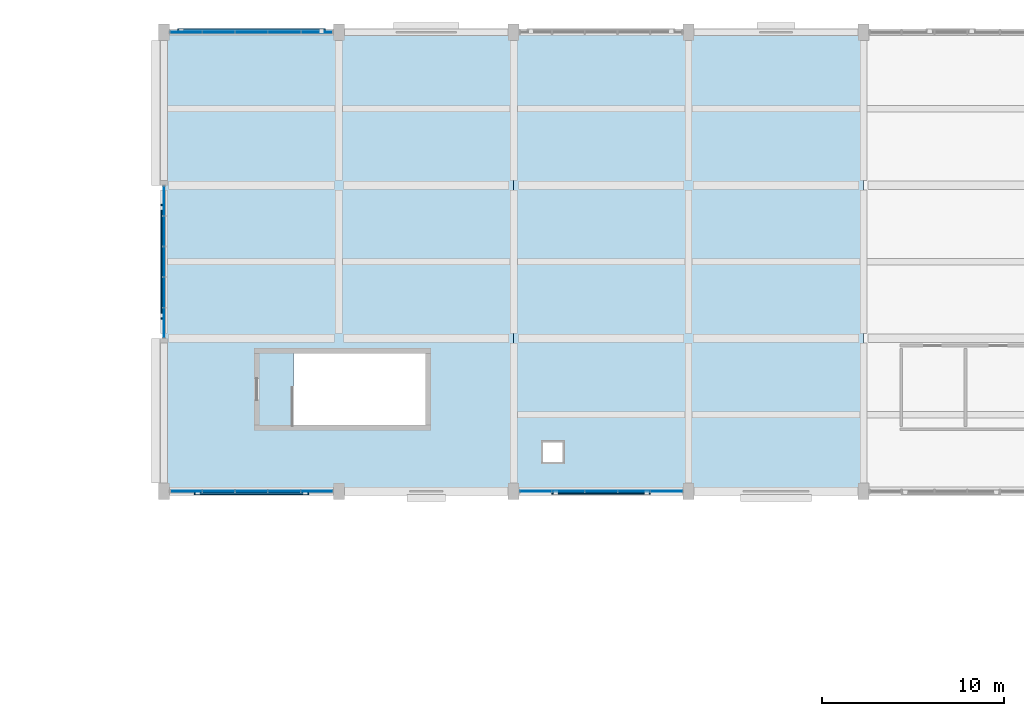
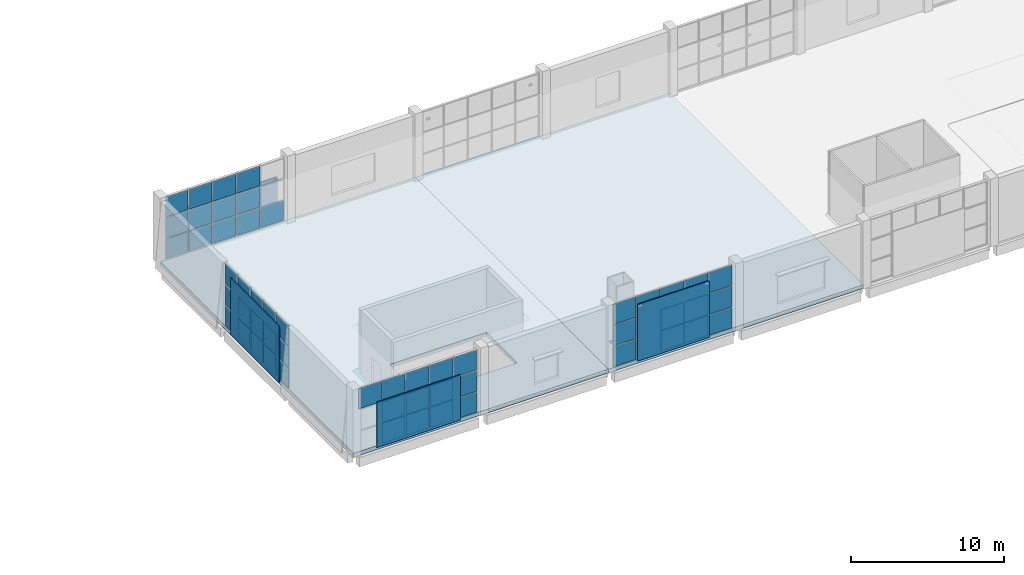
# One storey, part 32 of 57: 60 plates, 2 slabs, 4 elements without a shape of their own.
"""IFC4 building model written with IfcOpenShell, lengths in metres."""

from ifc_helpers import new_model, si_unit, direction, frame, origin, origin_2d, place, context, subcontext, project, spatial, polyline, rectangle, outline, extrude, material, layer, layer_set, type_object, element, aggregate, save


model = new_model("IFC4")

# Units and contexts
model_context = context("Model", 3, precision=1e-05, world=origin(), true_north=direction((0.0, 1.0)))
body_context = subcontext(model_context, "Body", "Model", "MODEL_VIEW")
ifc_project = project(units=[si_unit("LENGTHUNIT", "METRE"), si_unit("AREAUNIT", "SQUARE_METRE"), si_unit("VOLUMEUNIT", "CUBIC_METRE"), si_unit("PLANEANGLEUNIT", "RADIAN"), si_unit("MASSUNIT", "GRAM", prefix="KILO")], contexts=[model_context])

# Site, building, storey
site_placement = place(None, origin())
site = spatial("IfcSite", under=ifc_project, at=site_placement, CompositionType="ELEMENT")
building_placement = place(site_placement, origin())
building = spatial("IfcBuilding", under=site, at=building_placement, Name="Shalvenor Court Art Gallery", CompositionType="ELEMENT")
storey_placement = place(building_placement, frame((0.0, 0.0, 16.800048828125)))
storey = spatial("IfcBuildingStorey", under=building, at=storey_placement, Name="L03", CompositionType="ELEMENT", Elevation=16.800048828125)

# Curtain wall, plates
ifc_material_1 = material(Name="Anodised aluminium and low-iron glass curtain wall", Category="aluminium")
curtain_wall_type_1 = type_object("IfcCurtainWallType", Name="CW-5x3-90-51-142", PredefinedType="USERDEFINED", material=ifc_material_1)
curtain_wall_1_placement = place(storey_placement, origin())
curtain_wall_1 = element("IfcCurtainWall", 1, at=curtain_wall_1_placement, inside=storey, type_object=curtain_wall_type_1, Name="L03 V2 Curtain Wall CW-L03-080", ObjectType="CURTAIN WALL", PredefinedType="USERDEFINED")
ifc_material_2 = material(Name="Low-iron triple-silver solar gallery glazing IGU", Category="glass")
ifc_layer_1 = layer(ifc_material_2, 0.031982421875, Name="Low-iron triple-silver solar gallery glazing IGU")
ifc_layer_set_1 = layer_set([ifc_layer_1], Name="Low-iron triple-silver solar gallery glazing IGU")
plate_type_1 = type_object("IfcPlateType", Name="CWP-02", PredefinedType="CURTAIN_PANEL", material=ifc_layer_set_1)
plate_1_placement = place(storey_placement, frame((58.816162109375, 122.39990234375, 0.06982421875), z_axis=(0.0, 0.0, 1.0), x_axis=(1.0, 0.0, 0.0)))
plate_1 = element("IfcPlate", 2, at=plate_1_placement, type_object=plate_type_1, Name="CW-5x3-90-51-142 panel 1.1", PredefinedType="CURTAIN_PANEL", context=body_context, shape_type="SweptSolid", body=[
    extrude(rectangle(XDim=1.702392578125, YDim=0.031982421875, at=origin_2d()), origin(), (0.0, 0.0, 1.0), 1.594970703125),
])
plate_2_placement = place(storey_placement, frame((58.816162109375, 122.39990234375, 1.735107421875), z_axis=(0.0, 0.0, 1.0), x_axis=(1.0, 0.0, 0.0)))
plate_2 = element("IfcPlate", 3, at=plate_2_placement, type_object=plate_type_1, Name="CW-5x3-90-51-142 panel 1.2", PredefinedType="CURTAIN_PANEL", context=body_context, shape_type="SweptSolid", body=[
    extrude(rectangle(XDim=1.702392578125, YDim=0.031982421875, at=origin_2d()), origin(), (0.0, 0.0, 1.0), 1.6298828125),
])
plate_3_placement = place(storey_placement, frame((58.816162109375, 122.39990234375, 3.43505859375), z_axis=(0.0, 0.0, 1.0), x_axis=(1.0, 0.0, 0.0)))
plate_3 = element("IfcPlate", 4, at=plate_3_placement, type_object=plate_type_1, Name="CW-5x3-90-51-142 panel 1.3", PredefinedType="CURTAIN_PANEL", context=body_context, shape_type="SweptSolid", body=[
    extrude(rectangle(XDim=1.702392578125, YDim=0.031982421875, at=origin_2d()), origin(), (0.0, 0.0, 1.0), 1.594970703125),
])
plate_4_placement = place(storey_placement, frame((60.60009765625, 122.39990234375, 0.06982421875), z_axis=(0.0, 0.0, 1.0), x_axis=(1.0, 0.0, 0.0)))
plate_4 = element("IfcPlate", 5, at=plate_4_placement, type_object=plate_type_1, Name="CW-5x3-90-51-142 panel 2.1", PredefinedType="CURTAIN_PANEL", context=body_context, shape_type="SweptSolid", body=[
    extrude(rectangle(XDim=1.735107421875, YDim=0.031982421875, at=origin_2d()), origin(), (0.0, 0.0, 1.0), 1.594970703125),
])
plate_5_placement = place(storey_placement, frame((60.60009765625, 122.39990234375, 1.735107421875), z_axis=(0.0, 0.0, 1.0), x_axis=(1.0, 0.0, 0.0)))
plate_5 = element("IfcPlate", 6, at=plate_5_placement, type_object=plate_type_1, Name="CW-5x3-90-51-142 panel 2.2", PredefinedType="CURTAIN_PANEL", context=body_context, shape_type="SweptSolid", body=[
    extrude(rectangle(XDim=1.735107421875, YDim=0.031982421875, at=origin_2d()), origin(), (0.0, 0.0, 1.0), 1.6298828125),
])
plate_6_placement = place(storey_placement, frame((60.60009765625, 122.39990234375, 3.43505859375), z_axis=(0.0, 0.0, 1.0), x_axis=(1.0, 0.0, 0.0)))
plate_6 = element("IfcPlate", 7, at=plate_6_placement, type_object=plate_type_1, Name="CW-5x3-90-51-142 panel 2.3", PredefinedType="CURTAIN_PANEL", context=body_context, shape_type="SweptSolid", body=[
    extrude(rectangle(XDim=1.735107421875, YDim=0.031982421875, at=origin_2d()), origin(), (0.0, 0.0, 1.0), 1.594970703125),
])
plate_7_placement = place(storey_placement, frame((62.39990234375, 122.39990234375, 0.06982421875), z_axis=(0.0, 0.0, 1.0), x_axis=(1.0, 0.0, 0.0)))
plate_7 = element("IfcPlate", 8, at=plate_7_placement, type_object=plate_type_1, Name="CW-5x3-90-51-142 panel 3.1", PredefinedType="CURTAIN_PANEL", context=body_context, shape_type="SweptSolid", body=[
    extrude(rectangle(XDim=1.735107421875, YDim=0.031982421875, at=origin_2d()), origin(), (0.0, 0.0, 1.0), 1.594970703125),
])
plate_8_placement = place(storey_placement, frame((62.39990234375, 122.39990234375, 1.735107421875), z_axis=(0.0, 0.0, 1.0), x_axis=(1.0, 0.0, 0.0)))
plate_8 = element("IfcPlate", 9, at=plate_8_placement, type_object=plate_type_1, Name="CW-5x3-90-51-142 panel 3.2", PredefinedType="CURTAIN_PANEL", context=body_context, shape_type="SweptSolid", body=[
    extrude(rectangle(XDim=1.735107421875, YDim=0.031982421875, at=origin_2d()), origin(), (0.0, 0.0, 1.0), 1.6298828125),
])
plate_9_placement = place(storey_placement, frame((62.39990234375, 122.39990234375, 3.43505859375), z_axis=(0.0, 0.0, 1.0), x_axis=(1.0, 0.0, 0.0)))
plate_9 = element("IfcPlate", 10, at=plate_9_placement, type_object=plate_type_1, Name="CW-5x3-90-51-142 panel 3.3", PredefinedType="CURTAIN_PANEL", context=body_context, shape_type="SweptSolid", body=[
    extrude(rectangle(XDim=1.735107421875, YDim=0.031982421875, at=origin_2d()), origin(), (0.0, 0.0, 1.0), 1.594970703125),
])
plate_10_placement = place(storey_placement, frame((64.199951171875, 122.39990234375, 0.06982421875), z_axis=(0.0, 0.0, 1.0), x_axis=(1.0, 0.0, 0.0)))
plate_10 = element("IfcPlate", 11, at=plate_10_placement, type_object=plate_type_1, Name="CW-5x3-90-51-142 panel 4.1", PredefinedType="CURTAIN_PANEL", context=body_context, shape_type="SweptSolid", body=[
    extrude(rectangle(XDim=1.735107421875, YDim=0.031982421875, at=origin_2d()), origin(), (0.0, 0.0, 1.0), 1.594970703125),
])
plate_11_placement = place(storey_placement, frame((64.199951171875, 122.39990234375, 1.735107421875), z_axis=(0.0, 0.0, 1.0), x_axis=(1.0, 0.0, 0.0)))
plate_11 = element("IfcPlate", 12, at=plate_11_placement, type_object=plate_type_1, Name="CW-5x3-90-51-142 panel 4.2", PredefinedType="CURTAIN_PANEL", context=body_context, shape_type="SweptSolid", body=[
    extrude(rectangle(XDim=1.735107421875, YDim=0.031982421875, at=origin_2d()), origin(), (0.0, 0.0, 1.0), 1.6298828125),
])
plate_12_placement = place(storey_placement, frame((64.199951171875, 122.39990234375, 3.43505859375), z_axis=(0.0, 0.0, 1.0), x_axis=(1.0, 0.0, 0.0)))
plate_12 = element("IfcPlate", 13, at=plate_12_placement, type_object=plate_type_1, Name="CW-5x3-90-51-142 panel 4.3", PredefinedType="CURTAIN_PANEL", context=body_context, shape_type="SweptSolid", body=[
    extrude(rectangle(XDim=1.735107421875, YDim=0.031982421875, at=origin_2d()), origin(), (0.0, 0.0, 1.0), 1.594970703125),
])
plate_13_placement = place(storey_placement, frame((65.983642578125, 122.39990234375, 0.06982421875), z_axis=(0.0, 0.0, 1.0), x_axis=(1.0, 0.0, 0.0)))
plate_13 = element("IfcPlate", 14, at=plate_13_placement, type_object=plate_type_1, Name="CW-5x3-90-51-142 panel 5.1", PredefinedType="CURTAIN_PANEL", context=body_context, shape_type="SweptSolid", body=[
    extrude(rectangle(XDim=1.702392578125, YDim=0.031982421875, at=origin_2d()), origin(), (0.0, 0.0, 1.0), 1.594970703125),
])
aggregate(curtain_wall_1, [plate_1, plate_2, plate_3, plate_4, plate_5, plate_6, plate_7, plate_8, plate_9, plate_10, plate_11, plate_12, plate_13])

ifc_material_3 = material(Name="Anodised aluminium and low-iron glass curtain wall", Category="aluminium")
curtain_wall_type_2 = type_object("IfcCurtainWallType", Name="CW-5x3-90-51-612", PredefinedType="USERDEFINED", material=ifc_material_3)
curtain_wall_2_placement = place(storey_placement, origin())
curtain_wall_2 = element("IfcCurtainWall", 15, at=curtain_wall_2_placement, inside=storey, type_object=curtain_wall_type_2, Name="L03 V2 Curtain Wall CW-L03-087", ObjectType="CURTAIN WALL", PredefinedType="USERDEFINED")
plate_14_placement = place(storey_placement, frame((85.186279296875, 97.199951171875, 0.06005859375), z_axis=(0.0, 0.0, 1.0), x_axis=(-1.0, 0.0, 0.0)))
plate_14 = element("IfcPlate", 16, at=plate_14_placement, type_object=plate_type_1, Name="CW-5x3-90-51-612 panel 1.1", PredefinedType="CURTAIN_PANEL", context=body_context, shape_type="SweptSolid", body=[
    extrude(rectangle(XDim=1.717529296875, YDim=0.031982421875, at=origin_2d()), origin(), (0.0, 0.0, 1.0), 1.610107421875),
])
plate_15_placement = place(storey_placement, frame((85.186279296875, 97.199951171875, 1.72998046875), z_axis=(0.0, 0.0, 1.0), x_axis=(-1.0, 0.0, 0.0)))
plate_15 = element("IfcPlate", 17, at=plate_15_placement, type_object=plate_type_1, Name="CW-5x3-90-51-612 panel 1.2", PredefinedType="CURTAIN_PANEL", context=body_context, shape_type="SweptSolid", body=[
    extrude(rectangle(XDim=1.717529296875, YDim=0.031982421875, at=origin_2d()), origin(), (0.0, 0.0, 1.0), 1.639892578125),
])
plate_16_placement = place(storey_placement, frame((85.186279296875, 97.199951171875, 3.4296875), z_axis=(0.0, 0.0, 1.0), x_axis=(-1.0, 0.0, 0.0)))
plate_16 = element("IfcPlate", 18, at=plate_16_placement, type_object=plate_type_1, Name="CW-5x3-90-51-612 panel 1.3", PredefinedType="CURTAIN_PANEL", context=body_context, shape_type="SweptSolid", body=[
    extrude(rectangle(XDim=1.717529296875, YDim=0.031982421875, at=origin_2d()), origin(), (0.0, 0.0, 1.0), 1.610107421875),
])
plate_17_placement = place(storey_placement, frame((83.39990234375, 97.199951171875, 0.06005859375), z_axis=(0.0, 0.0, 1.0), x_axis=(-1.0, 0.0, 0.0)))
plate_17 = element("IfcPlate", 19, at=plate_17_placement, type_object=plate_type_1, Name="CW-5x3-90-51-612 panel 2.1", PredefinedType="CURTAIN_PANEL", context=body_context, shape_type="SweptSolid", body=[
    extrude(rectangle(XDim=1.7451171875, YDim=0.031982421875, at=origin_2d()), origin(), (0.0, 0.0, 1.0), 1.610107421875),
])
plate_18_placement = place(storey_placement, frame((83.39990234375, 97.199951171875, 1.72998046875), z_axis=(0.0, 0.0, 1.0), x_axis=(-1.0, 0.0, 0.0)))
plate_18 = element("IfcPlate", 20, at=plate_18_placement, type_object=plate_type_1, Name="CW-5x3-90-51-612 panel 2.2", PredefinedType="CURTAIN_PANEL", context=body_context, shape_type="SweptSolid", body=[
    extrude(rectangle(XDim=1.7451171875, YDim=0.031982421875, at=origin_2d()), origin(), (0.0, 0.0, 1.0), 1.639892578125),
])
plate_19_placement = place(storey_placement, frame((83.39990234375, 97.199951171875, 3.4296875), z_axis=(0.0, 0.0, 1.0), x_axis=(-1.0, 0.0, 0.0)))
plate_19 = element("IfcPlate", 21, at=plate_19_placement, type_object=plate_type_1, Name="CW-5x3-90-51-612 panel 2.3", PredefinedType="CURTAIN_PANEL", context=body_context, shape_type="SweptSolid", body=[
    extrude(rectangle(XDim=1.7451171875, YDim=0.031982421875, at=origin_2d()), origin(), (0.0, 0.0, 1.0), 1.610107421875),
])
plate_20_placement = place(storey_placement, frame((81.60009765625, 97.199951171875, 0.06005859375), z_axis=(0.0, 0.0, 1.0), x_axis=(-1.0, 0.0, 0.0)))
plate_20 = element("IfcPlate", 22, at=plate_20_placement, type_object=plate_type_1, Name="CW-5x3-90-51-612 panel 3.1", PredefinedType="CURTAIN_PANEL", context=body_context, shape_type="SweptSolid", body=[
    extrude(rectangle(XDim=1.7451171875, YDim=0.031982421875, at=origin_2d()), origin(), (0.0, 0.0, 1.0), 1.610107421875),
])
plate_21_placement = place(storey_placement, frame((81.60009765625, 97.199951171875, 1.72998046875), z_axis=(0.0, 0.0, 1.0), x_axis=(-1.0, 0.0, 0.0)))
plate_21 = element("IfcPlate", 23, at=plate_21_placement, type_object=plate_type_1, Name="CW-5x3-90-51-612 panel 3.2", PredefinedType="CURTAIN_PANEL", context=body_context, shape_type="SweptSolid", body=[
    extrude(rectangle(XDim=1.7451171875, YDim=0.031982421875, at=origin_2d()), origin(), (0.0, 0.0, 1.0), 1.639892578125),
])
plate_22_placement = place(storey_placement, frame((81.60009765625, 97.199951171875, 3.4296875), z_axis=(0.0, 0.0, 1.0), x_axis=(-1.0, 0.0, 0.0)))
plate_22 = element("IfcPlate", 24, at=plate_22_placement, type_object=plate_type_1, Name="CW-5x3-90-51-612 panel 3.3", PredefinedType="CURTAIN_PANEL", context=body_context, shape_type="SweptSolid", body=[
    extrude(rectangle(XDim=1.7451171875, YDim=0.031982421875, at=origin_2d()), origin(), (0.0, 0.0, 1.0), 1.610107421875),
])
plate_23_placement = place(storey_placement, frame((79.800048828125, 97.199951171875, 0.06005859375), z_axis=(0.0, 0.0, 1.0), x_axis=(-1.0, 0.0, 0.0)))
plate_23 = element("IfcPlate", 25, at=plate_23_placement, type_object=plate_type_1, Name="CW-5x3-90-51-612 panel 4.1", PredefinedType="CURTAIN_PANEL", context=body_context, shape_type="SweptSolid", body=[
    extrude(rectangle(XDim=1.7451171875, YDim=0.031982421875, at=origin_2d()), origin(), (0.0, 0.0, 1.0), 1.610107421875),
])
plate_24_placement = place(storey_placement, frame((79.800048828125, 97.199951171875, 1.72998046875), z_axis=(0.0, 0.0, 1.0), x_axis=(-1.0, 0.0, 0.0)))
plate_24 = element("IfcPlate", 26, at=plate_24_placement, type_object=plate_type_1, Name="CW-5x3-90-51-612 panel 4.2", PredefinedType="CURTAIN_PANEL", context=body_context, shape_type="SweptSolid", body=[
    extrude(rectangle(XDim=1.7451171875, YDim=0.031982421875, at=origin_2d()), origin(), (0.0, 0.0, 1.0), 1.639892578125),
])
plate_25_placement = place(storey_placement, frame((79.800048828125, 97.199951171875, 3.4296875), z_axis=(0.0, 0.0, 1.0), x_axis=(-1.0, 0.0, 0.0)))
plate_25 = element("IfcPlate", 27, at=plate_25_placement, type_object=plate_type_1, Name="CW-5x3-90-51-612 panel 4.3", PredefinedType="CURTAIN_PANEL", context=body_context, shape_type="SweptSolid", body=[
    extrude(rectangle(XDim=1.7451171875, YDim=0.031982421875, at=origin_2d()), origin(), (0.0, 0.0, 1.0), 1.610107421875),
])
plate_26_placement = place(storey_placement, frame((78.013671875, 97.199951171875, 0.06005859375), z_axis=(0.0, 0.0, 1.0), x_axis=(-1.0, 0.0, 0.0)))
plate_26 = element("IfcPlate", 28, at=plate_26_placement, type_object=plate_type_1, Name="CW-5x3-90-51-612 panel 5.1", PredefinedType="CURTAIN_PANEL", context=body_context, shape_type="SweptSolid", body=[
    extrude(rectangle(XDim=1.717529296875, YDim=0.031982421875, at=origin_2d()), origin(), (0.0, 0.0, 1.0), 1.610107421875),
])
plate_27_placement = place(storey_placement, frame((78.013671875, 97.199951171875, 1.72998046875), z_axis=(0.0, 0.0, 1.0), x_axis=(-1.0, 0.0, 0.0)))
plate_27 = element("IfcPlate", 29, at=plate_27_placement, type_object=plate_type_1, Name="CW-5x3-90-51-612 panel 5.2", PredefinedType="CURTAIN_PANEL", context=body_context, shape_type="SweptSolid", body=[
    extrude(rectangle(XDim=1.717529296875, YDim=0.031982421875, at=origin_2d()), origin(), (0.0, 0.0, 1.0), 1.639892578125),
])
plate_28_placement = place(storey_placement, frame((78.013671875, 97.199951171875, 3.4296875), z_axis=(0.0, 0.0, 1.0), x_axis=(-1.0, 0.0, 0.0)))
plate_28 = element("IfcPlate", 30, at=plate_28_placement, type_object=plate_type_1, Name="CW-5x3-90-51-612 panel 5.3", PredefinedType="CURTAIN_PANEL", context=body_context, shape_type="SweptSolid", body=[
    extrude(rectangle(XDim=1.717529296875, YDim=0.031982421875, at=origin_2d()), origin(), (0.0, 0.0, 1.0), 1.610107421875),
])
aggregate(curtain_wall_2, [plate_14, plate_15, plate_16, plate_17, plate_18, plate_19, plate_20, plate_21, plate_22, plate_23, plate_24, plate_25, plate_26, plate_27, plate_28])

ifc_material_4 = material(Name="Anodised aluminium and low-iron glass curtain wall", Category="aluminium")
curtain_wall_type_3 = type_object("IfcCurtainWallType", Name="CW-5x3-90-51-122", PredefinedType="USERDEFINED", material=ifc_material_4)
curtain_wall_3_placement = place(storey_placement, origin())
curtain_wall_3 = element("IfcCurtainWall", 31, at=curtain_wall_3_placement, inside=storey, type_object=curtain_wall_type_3, Name="L03 V2 Curtain Wall CW-L03-088", ObjectType="CURTAIN WALL", PredefinedType="USERDEFINED")
plate_29_placement = place(storey_placement, frame((65.983642578125, 97.199951171875, 0.06494140625), z_axis=(0.0, 0.0, 1.0), x_axis=(-1.0, 0.0, 0.0)))
plate_29 = element("IfcPlate", 32, at=plate_29_placement, type_object=plate_type_1, Name="CW-5x3-90-51-122 panel 1.1", PredefinedType="CURTAIN_PANEL", context=body_context, shape_type="SweptSolid", body=[
    extrude(rectangle(XDim=1.702392578125, YDim=0.031982421875, at=origin_2d()), origin(), (0.0, 0.0, 1.0), 1.6025390625),
])
plate_30_placement = place(storey_placement, frame((65.983642578125, 97.199951171875, 1.732421875), z_axis=(0.0, 0.0, 1.0), x_axis=(-1.0, 0.0, 0.0)))
plate_30 = element("IfcPlate", 33, at=plate_30_placement, type_object=plate_type_1, Name="CW-5x3-90-51-122 panel 1.2", PredefinedType="CURTAIN_PANEL", context=body_context, shape_type="SweptSolid", body=[
    extrude(rectangle(XDim=1.702392578125, YDim=0.031982421875, at=origin_2d()), origin(), (0.0, 0.0, 1.0), 1.635009765625),
])
plate_31_placement = place(storey_placement, frame((65.983642578125, 97.199951171875, 3.432373046875), z_axis=(0.0, 0.0, 1.0), x_axis=(-1.0, 0.0, 0.0)))
plate_31 = element("IfcPlate", 34, at=plate_31_placement, type_object=plate_type_1, Name="CW-5x3-90-51-122 panel 1.3", PredefinedType="CURTAIN_PANEL", context=body_context, shape_type="SweptSolid", body=[
    extrude(rectangle(XDim=1.702392578125, YDim=0.031982421875, at=origin_2d()), origin(), (0.0, 0.0, 1.0), 1.6025390625),
])
plate_32_placement = place(storey_placement, frame((64.199951171875, 97.199951171875, 0.06494140625), z_axis=(0.0, 0.0, 1.0), x_axis=(-1.0, 0.0, 0.0)))
plate_32 = element("IfcPlate", 35, at=plate_32_placement, type_object=plate_type_1, Name="CW-5x3-90-51-122 panel 2.1", PredefinedType="CURTAIN_PANEL", context=body_context, shape_type="SweptSolid", body=[
    extrude(rectangle(XDim=1.735107421875, YDim=0.031982421875, at=origin_2d()), origin(), (0.0, 0.0, 1.0), 1.6025390625),
])
plate_33_placement = place(storey_placement, frame((64.199951171875, 97.199951171875, 1.732421875), z_axis=(0.0, 0.0, 1.0), x_axis=(-1.0, 0.0, 0.0)))
plate_33 = element("IfcPlate", 36, at=plate_33_placement, type_object=plate_type_1, Name="CW-5x3-90-51-122 panel 2.2", PredefinedType="CURTAIN_PANEL", context=body_context, shape_type="SweptSolid", body=[
    extrude(rectangle(XDim=1.735107421875, YDim=0.031982421875, at=origin_2d()), origin(), (0.0, 0.0, 1.0), 1.635009765625),
])
plate_34_placement = place(storey_placement, frame((64.199951171875, 97.199951171875, 3.432373046875), z_axis=(0.0, 0.0, 1.0), x_axis=(-1.0, 0.0, 0.0)))
plate_34 = element("IfcPlate", 37, at=plate_34_placement, type_object=plate_type_1, Name="CW-5x3-90-51-122 panel 2.3", PredefinedType="CURTAIN_PANEL", context=body_context, shape_type="SweptSolid", body=[
    extrude(rectangle(XDim=1.735107421875, YDim=0.031982421875, at=origin_2d()), origin(), (0.0, 0.0, 1.0), 1.6025390625),
])
plate_35_placement = place(storey_placement, frame((62.39990234375, 97.199951171875, 0.06494140625), z_axis=(0.0, 0.0, 1.0), x_axis=(-1.0, 0.0, 0.0)))
plate_35 = element("IfcPlate", 38, at=plate_35_placement, type_object=plate_type_1, Name="CW-5x3-90-51-122 panel 3.1", PredefinedType="CURTAIN_PANEL", context=body_context, shape_type="SweptSolid", body=[
    extrude(rectangle(XDim=1.735107421875, YDim=0.031982421875, at=origin_2d()), origin(), (0.0, 0.0, 1.0), 1.6025390625),
])
plate_36_placement = place(storey_placement, frame((62.39990234375, 97.199951171875, 1.732421875), z_axis=(0.0, 0.0, 1.0), x_axis=(-1.0, 0.0, 0.0)))
plate_36 = element("IfcPlate", 39, at=plate_36_placement, type_object=plate_type_1, Name="CW-5x3-90-51-122 panel 3.2", PredefinedType="CURTAIN_PANEL", context=body_context, shape_type="SweptSolid", body=[
    extrude(rectangle(XDim=1.735107421875, YDim=0.031982421875, at=origin_2d()), origin(), (0.0, 0.0, 1.0), 1.635009765625),
])
plate_37_placement = place(storey_placement, frame((62.39990234375, 97.199951171875, 3.432373046875), z_axis=(0.0, 0.0, 1.0), x_axis=(-1.0, 0.0, 0.0)))
plate_37 = element("IfcPlate", 40, at=plate_37_placement, type_object=plate_type_1, Name="CW-5x3-90-51-122 panel 3.3", PredefinedType="CURTAIN_PANEL", context=body_context, shape_type="SweptSolid", body=[
    extrude(rectangle(XDim=1.735107421875, YDim=0.031982421875, at=origin_2d()), origin(), (0.0, 0.0, 1.0), 1.6025390625),
])
plate_38_placement = place(storey_placement, frame((60.60009765625, 97.199951171875, 0.06494140625), z_axis=(0.0, 0.0, 1.0), x_axis=(-1.0, 0.0, 0.0)))
plate_38 = element("IfcPlate", 41, at=plate_38_placement, type_object=plate_type_1, Name="CW-5x3-90-51-122 panel 4.1", PredefinedType="CURTAIN_PANEL", context=body_context, shape_type="SweptSolid", body=[
    extrude(rectangle(XDim=1.735107421875, YDim=0.031982421875, at=origin_2d()), origin(), (0.0, 0.0, 1.0), 1.6025390625),
])
plate_39_placement = place(storey_placement, frame((60.60009765625, 97.199951171875, 1.732421875), z_axis=(0.0, 0.0, 1.0), x_axis=(-1.0, 0.0, 0.0)))
plate_39 = element("IfcPlate", 42, at=plate_39_placement, type_object=plate_type_1, Name="CW-5x3-90-51-122 panel 4.2", PredefinedType="CURTAIN_PANEL", context=body_context, shape_type="SweptSolid", body=[
    extrude(rectangle(XDim=1.735107421875, YDim=0.031982421875, at=origin_2d()), origin(), (0.0, 0.0, 1.0), 1.635009765625),
])
plate_40_placement = place(storey_placement, frame((60.60009765625, 97.199951171875, 3.432373046875), z_axis=(0.0, 0.0, 1.0), x_axis=(-1.0, 0.0, 0.0)))
plate_40 = element("IfcPlate", 43, at=plate_40_placement, type_object=plate_type_1, Name="CW-5x3-90-51-122 panel 4.3", PredefinedType="CURTAIN_PANEL", context=body_context, shape_type="SweptSolid", body=[
    extrude(rectangle(XDim=1.735107421875, YDim=0.031982421875, at=origin_2d()), origin(), (0.0, 0.0, 1.0), 1.6025390625),
])
plate_41_placement = place(storey_placement, frame((58.816162109375, 97.199951171875, 3.432373046875), z_axis=(0.0, 0.0, 1.0), x_axis=(-1.0, 0.0, 0.0)))
plate_41 = element("IfcPlate", 44, at=plate_41_placement, type_object=plate_type_1, Name="CW-5x3-90-51-122 panel 5.3", PredefinedType="CURTAIN_PANEL", context=body_context, shape_type="SweptSolid", body=[
    extrude(rectangle(XDim=1.702392578125, YDim=0.031982421875, at=origin_2d()), origin(), (0.0, 0.0, 1.0), 1.6025390625),
])
aggregate(curtain_wall_3, [plate_29, plate_30, plate_31, plate_32, plate_33, plate_34, plate_35, plate_36, plate_37, plate_38, plate_39, plate_40, plate_41])

ifc_material_5 = material(Name="Anodised aluminium and low-iron glass curtain wall", Category="aluminium")
curtain_wall_type_4 = type_object("IfcCurtainWallType", Name="CW-5x3-84-51-242", PredefinedType="USERDEFINED", material=ifc_material_5)
curtain_wall_4_placement = place(storey_placement, origin())
curtain_wall_4 = element("IfcCurtainWall", 45, at=curtain_wall_4_placement, inside=storey, type_object=curtain_wall_type_4, Name="L03 V2 Curtain Wall CW-L03-089", ObjectType="CURTAIN WALL", PredefinedType="USERDEFINED")
plate_42_placement = place(storey_placement, frame((57.60009765625, 106.45751953125, 0.06982421875), z_axis=(0.0, 0.0, 1.0), x_axis=(0.0, 1.0, 0.0)))
plate_42 = element("IfcPlate", 46, at=plate_42_placement, type_object=plate_type_1, Name="CW-5x3-84-51-242 panel 1.1", PredefinedType="CURTAIN_PANEL", context=body_context, shape_type="SweptSolid", body=[
    extrude(rectangle(XDim=1.574951171875, YDim=0.031982421875, at=origin_2d()), origin(), (0.0, 0.0, 1.0), 1.594970703125),
])
plate_43_placement = place(storey_placement, frame((57.60009765625, 106.45751953125, 1.735107421875), z_axis=(0.0, 0.0, 1.0), x_axis=(0.0, 1.0, 0.0)))
plate_43 = element("IfcPlate", 47, at=plate_43_placement, type_object=plate_type_1, Name="CW-5x3-84-51-242 panel 1.2", PredefinedType="CURTAIN_PANEL", context=body_context, shape_type="SweptSolid", body=[
    extrude(rectangle(XDim=1.574951171875, YDim=0.031982421875, at=origin_2d()), origin(), (0.0, 0.0, 1.0), 1.6298828125),
])
plate_44_placement = place(storey_placement, frame((57.60009765625, 106.45751953125, 3.43505859375), z_axis=(0.0, 0.0, 1.0), x_axis=(0.0, 1.0, 0.0)))
plate_44 = element("IfcPlate", 48, at=plate_44_placement, type_object=plate_type_1, Name="CW-5x3-84-51-242 panel 1.3", PredefinedType="CURTAIN_PANEL", context=body_context, shape_type="SweptSolid", body=[
    extrude(rectangle(XDim=1.574951171875, YDim=0.031982421875, at=origin_2d()), origin(), (0.0, 0.0, 1.0), 1.594970703125),
])
plate_45_placement = place(storey_placement, frame((57.60009765625, 108.1201171875, 0.06982421875), z_axis=(0.0, 0.0, 1.0), x_axis=(0.0, 1.0, 0.0)))
plate_45 = element("IfcPlate", 49, at=plate_45_placement, type_object=plate_type_1, Name="CW-5x3-84-51-242 panel 2.1", PredefinedType="CURTAIN_PANEL", context=body_context, shape_type="SweptSolid", body=[
    extrude(rectangle(XDim=1.610107421875, YDim=0.031982421875, at=origin_2d()), origin(), (0.0, 0.0, 1.0), 1.594970703125),
])
plate_46_placement = place(storey_placement, frame((57.60009765625, 108.1201171875, 1.735107421875), z_axis=(0.0, 0.0, 1.0), x_axis=(0.0, 1.0, 0.0)))
plate_46 = element("IfcPlate", 50, at=plate_46_placement, type_object=plate_type_1, Name="CW-5x3-84-51-242 panel 2.2", PredefinedType="CURTAIN_PANEL", context=body_context, shape_type="SweptSolid", body=[
    extrude(rectangle(XDim=1.610107421875, YDim=0.031982421875, at=origin_2d()), origin(), (0.0, 0.0, 1.0), 1.6298828125),
])
plate_47_placement = place(storey_placement, frame((57.60009765625, 108.1201171875, 3.43505859375), z_axis=(0.0, 0.0, 1.0), x_axis=(0.0, 1.0, 0.0)))
plate_47 = element("IfcPlate", 51, at=plate_47_placement, type_object=plate_type_1, Name="CW-5x3-84-51-242 panel 2.3", PredefinedType="CURTAIN_PANEL", context=body_context, shape_type="SweptSolid", body=[
    extrude(rectangle(XDim=1.610107421875, YDim=0.031982421875, at=origin_2d()), origin(), (0.0, 0.0, 1.0), 1.594970703125),
])
plate_48_placement = place(storey_placement, frame((57.60009765625, 109.800048828125, 0.06982421875), z_axis=(0.0, 0.0, 1.0), x_axis=(0.0, 1.0, 0.0)))
plate_48 = element("IfcPlate", 52, at=plate_48_placement, type_object=plate_type_1, Name="CW-5x3-84-51-242 panel 3.1", PredefinedType="CURTAIN_PANEL", context=body_context, shape_type="SweptSolid", body=[
    extrude(rectangle(XDim=1.610107421875, YDim=0.031982421875, at=origin_2d()), origin(), (0.0, 0.0, 1.0), 1.594970703125),
])
plate_49_placement = place(storey_placement, frame((57.60009765625, 109.800048828125, 1.735107421875), z_axis=(0.0, 0.0, 1.0), x_axis=(0.0, 1.0, 0.0)))
plate_49 = element("IfcPlate", 53, at=plate_49_placement, type_object=plate_type_1, Name="CW-5x3-84-51-242 panel 3.2", PredefinedType="CURTAIN_PANEL", context=body_context, shape_type="SweptSolid", body=[
    extrude(rectangle(XDim=1.610107421875, YDim=0.031982421875, at=origin_2d()), origin(), (0.0, 0.0, 1.0), 1.6298828125),
])
plate_50_placement = place(storey_placement, frame((57.60009765625, 109.800048828125, 3.43505859375), z_axis=(0.0, 0.0, 1.0), x_axis=(0.0, 1.0, 0.0)))
plate_50 = element("IfcPlate", 54, at=plate_50_placement, type_object=plate_type_1, Name="CW-5x3-84-51-242 panel 3.3", PredefinedType="CURTAIN_PANEL", context=body_context, shape_type="SweptSolid", body=[
    extrude(rectangle(XDim=1.610107421875, YDim=0.031982421875, at=origin_2d()), origin(), (0.0, 0.0, 1.0), 1.594970703125),
])
plate_51_placement = place(storey_placement, frame((57.60009765625, 111.47998046875, 0.06982421875), z_axis=(0.0, 0.0, 1.0), x_axis=(0.0, 1.0, 0.0)))
plate_51 = element("IfcPlate", 55, at=plate_51_placement, type_object=plate_type_1, Name="CW-5x3-84-51-242 panel 4.1", PredefinedType="CURTAIN_PANEL", context=body_context, shape_type="SweptSolid", body=[
    extrude(rectangle(XDim=1.610107421875, YDim=0.031982421875, at=origin_2d()), origin(), (0.0, 0.0, 1.0), 1.594970703125),
])
plate_52_placement = place(storey_placement, frame((57.60009765625, 111.47998046875, 1.735107421875), z_axis=(0.0, 0.0, 1.0), x_axis=(0.0, 1.0, 0.0)))
plate_52 = element("IfcPlate", 56, at=plate_52_placement, type_object=plate_type_1, Name="CW-5x3-84-51-242 panel 4.2", PredefinedType="CURTAIN_PANEL", context=body_context, shape_type="SweptSolid", body=[
    extrude(rectangle(XDim=1.610107421875, YDim=0.031982421875, at=origin_2d()), origin(), (0.0, 0.0, 1.0), 1.6298828125),
])
plate_53_placement = place(storey_placement, frame((57.60009765625, 111.47998046875, 3.43505859375), z_axis=(0.0, 0.0, 1.0), x_axis=(0.0, 1.0, 0.0)))
plate_53 = element("IfcPlate", 57, at=plate_53_placement, type_object=plate_type_1, Name="CW-5x3-84-51-242 panel 4.3", PredefinedType="CURTAIN_PANEL", context=body_context, shape_type="SweptSolid", body=[
    extrude(rectangle(XDim=1.610107421875, YDim=0.031982421875, at=origin_2d()), origin(), (0.0, 0.0, 1.0), 1.594970703125),
])
plate_54_placement = place(storey_placement, frame((57.60009765625, 113.142578125, 0.06982421875), z_axis=(0.0, 0.0, 1.0), x_axis=(0.0, 1.0, 0.0)))
plate_54 = element("IfcPlate", 58, at=plate_54_placement, type_object=plate_type_1, Name="CW-5x3-84-51-242 panel 5.1", PredefinedType="CURTAIN_PANEL", context=body_context, shape_type="SweptSolid", body=[
    extrude(rectangle(XDim=1.574951171875, YDim=0.031982421875, at=origin_2d()), origin(), (0.0, 0.0, 1.0), 1.594970703125),
])
plate_55_placement = place(storey_placement, frame((57.60009765625, 113.142578125, 1.735107421875), z_axis=(0.0, 0.0, 1.0), x_axis=(0.0, 1.0, 0.0)))
plate_55 = element("IfcPlate", 59, at=plate_55_placement, type_object=plate_type_1, Name="CW-5x3-84-51-242 panel 5.2", PredefinedType="CURTAIN_PANEL", context=body_context, shape_type="SweptSolid", body=[
    extrude(rectangle(XDim=1.574951171875, YDim=0.031982421875, at=origin_2d()), origin(), (0.0, 0.0, 1.0), 1.6298828125),
])
plate_56_placement = place(storey_placement, frame((57.60009765625, 113.142578125, 3.43505859375), z_axis=(0.0, 0.0, 1.0), x_axis=(0.0, 1.0, 0.0)))
plate_56 = element("IfcPlate", 60, at=plate_56_placement, type_object=plate_type_1, Name="CW-5x3-84-51-242 panel 5.3", PredefinedType="CURTAIN_PANEL", context=body_context, shape_type="SweptSolid", body=[
    extrude(rectangle(XDim=1.574951171875, YDim=0.031982421875, at=origin_2d()), origin(), (0.0, 0.0, 1.0), 1.594970703125),
])
aggregate(curtain_wall_4, [plate_42, plate_43, plate_44, plate_45, plate_46, plate_47, plate_48, plate_49, plate_50, plate_51, plate_52, plate_53, plate_54, plate_55, plate_56])

# Slabs
ifc_material_6 = material(Name="Concrete C40/50", Category="concrete")
ifc_layer_2 = layer(ifc_material_6, 0.300048828125, Name="Concrete C40/50")
ifc_layer_set_2 = layer_set([ifc_layer_2], Name="Concrete C40/50")
slab_type = type_object("IfcSlabType", Name="FS-300", PredefinedType="FLOOR", material=ifc_layer_set_2)
slab_1_placement = place(storey_placement, frame((0.0, 0.0, -0.300048828125)))
element("IfcSlab", 61, at=slab_1_placement, inside=storey, type_object=slab_type, Name="L03 V2 Floor Slab 1", PredefinedType="FLOOR", context=body_context, shape_type="SweptSolid", body=[
    extrude(outline(polyline([(57.60009765625, 97.199951171875), (57.60009765625, 122.39990234375), (76.800048828125, 122.39990234375), (76.800048828125, 97.199951171875), (57.60009765625, 97.199951171875)]), holes=[polyline([(64.7109375, 100.800048828125), (72.0, 100.800048828125), (72.0, 104.800048828125), (64.7109375, 104.800048828125), (64.7109375, 100.800048828125)])]), origin(), (0.0, 0.0, 1.0), 0.300048828125),
])
slab_2_placement = place(storey_placement, frame((0.0, 0.0, -0.300048828125)))
element("IfcSlab", 62, at=slab_2_placement, inside=storey, type_object=slab_type, Name="L03 V2 Floor Slab 2", PredefinedType="FLOOR", context=body_context, shape_type="SweptSolid", body=[
    extrude(outline(polyline([(76.800048828125, 97.199951171875), (76.800048828125, 122.39990234375), (96.0, 122.39990234375), (96.0, 97.199951171875), (76.800048828125, 97.199951171875)]), holes=[polyline([(78.39990234375, 98.800048828125), (79.5, 98.800048828125), (79.5, 99.89990234375), (78.39990234375, 99.89990234375), (78.39990234375, 98.800048828125)])]), origin(), (0.0, 0.0, 1.0), 0.300048828125),
])

# Plates
ifc_material_7 = material(Name="Perforated pale limestone GRC lattice", Category="masonry")
ifc_layer_3 = layer(ifc_material_7, 0.090087890625, Name="Perforated pale limestone GRC lattice")
ifc_layer_set_3 = layer_set([ifc_layer_3], Name="Perforated pale limestone GRC lattice")
plate_type_2 = type_object("IfcPlateType", Name="SCR-04", PredefinedType="USERDEFINED", material=ifc_layer_set_3)
plate_57_placement = place(storey_placement, frame((81.60009765625, 97.0869140625, 0.0), z_axis=(0.0, 0.0, 1.0), x_axis=(-1.0, 0.0, 0.0)))
element("IfcPlate", 63, at=plate_57_placement, inside=storey, type_object=plate_type_2, Name="L03 V2 Perforated Stone Lattice Screen PLT-SCR-0074", ObjectType="SCREEN", PredefinedType="USERDEFINED", context=body_context, shape_type="SweptSolid", body=[
    extrude(rectangle(XDim=5.39990234375, YDim=0.090087890625, at=origin_2d()), origin(), (0.0, 0.0, 1.0), 4.5),
])
ifc_material_8 = material(Name="Perforated pale limestone GRC lattice", Category="masonry")
ifc_layer_4 = layer(ifc_material_8, 0.090087890625, Name="Perforated pale limestone GRC lattice")
ifc_layer_set_4 = layer_set([ifc_layer_4], Name="Perforated pale limestone GRC lattice")
plate_type_3 = type_object("IfcPlateType", Name="SCR-05", PredefinedType="USERDEFINED", material=ifc_layer_set_4)
plate_58_placement = place(storey_placement, frame((62.39990234375, 97.06689453125, 0.0), z_axis=(0.0, 0.0, 1.0), x_axis=(-1.0, 0.0, 0.0)))
element("IfcPlate", 64, at=plate_58_placement, inside=storey, type_object=plate_type_3, Name="L03 V2 Perforated Stone Lattice Screen PLT-SCR-0075", ObjectType="SCREEN", PredefinedType="USERDEFINED", context=body_context, shape_type="SweptSolid", body=[
    extrude(rectangle(XDim=6.300048828125, YDim=0.090087890625, at=origin_2d()), origin(), (0.0, 0.0, 1.0), 3.60009765625),
])
ifc_material_9 = material(Name="Perforated pale limestone GRC lattice", Category="masonry")
ifc_layer_5 = layer(ifc_material_9, 0.090087890625, Name="Perforated pale limestone GRC lattice")
ifc_layer_set_5 = layer_set([ifc_layer_5], Name="Perforated pale limestone GRC lattice")
plate_type_4 = type_object("IfcPlateType", Name="SCR-06", PredefinedType="USERDEFINED", material=ifc_layer_set_5)
plate_59_placement = place(storey_placement, frame((57.45703125, 109.800048828125, 0.0), z_axis=(0.0, 0.0, 1.0), x_axis=(0.0, 1.0, 0.0)))
element("IfcPlate", 65, at=plate_59_placement, inside=storey, type_object=plate_type_4, Name="L03 V2 Perforated Stone Lattice Screen PLT-SCR-0076", ObjectType="SCREEN", PredefinedType="USERDEFINED", context=body_context, shape_type="SweptSolid", body=[
    extrude(rectangle(XDim=6.300048828125, YDim=0.090087890625, at=origin_2d()), origin(), (0.0, 0.0, 1.0), 4.5),
])
ifc_material_10 = material(Name="Perforated pale limestone GRC lattice", Category="masonry")
ifc_layer_6 = layer(ifc_material_10, 0.094970703125, Name="Perforated pale limestone GRC lattice")
ifc_layer_set_6 = layer_set([ifc_layer_6], Name="Perforated pale limestone GRC lattice")
plate_type_5 = type_object("IfcPlateType", Name="SCR-11", PredefinedType="USERDEFINED", material=ifc_layer_set_6)
plate_60_placement = place(storey_placement, frame((62.39990234375, 122.535400390625, 0.0), z_axis=(0.0, 0.0, 1.0), x_axis=(1.0, 0.0, 0.0)))
element("IfcPlate", 66, at=plate_60_placement, inside=storey, type_object=plate_type_5, Name="L03 V2 Perforated Stone Lattice Screen PLT-SCR-0067", ObjectType="SCREEN", PredefinedType="USERDEFINED", context=body_context, shape_type="SweptSolid", body=[
    extrude(rectangle(XDim=8.10009765625, YDim=0.094970703125, at=origin_2d()), origin(), (0.0, 0.0, 1.0), 3.60009765625),
])

save(model, "model.ifc")
